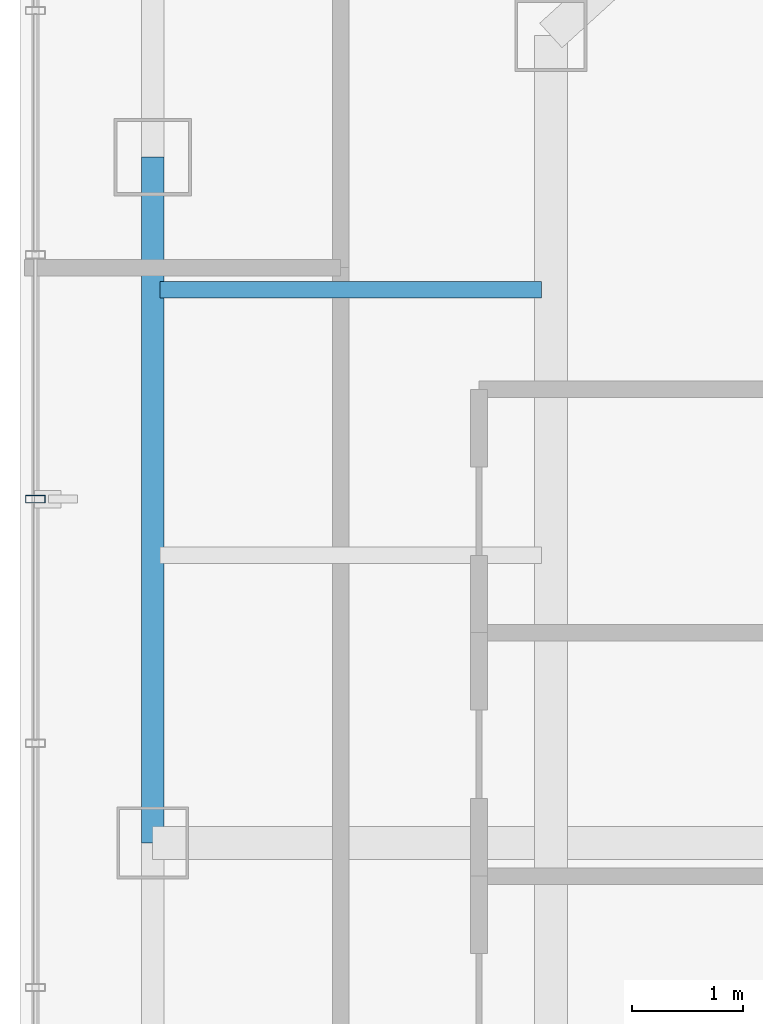
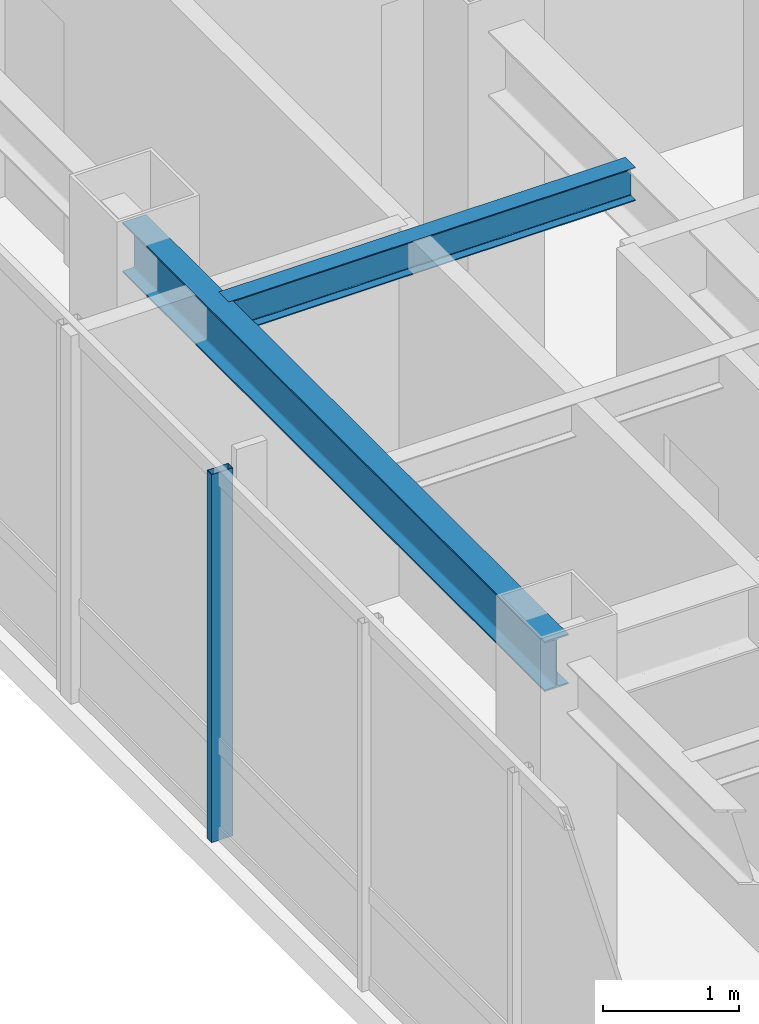
# One storey, part 8 of 25: 2 beams, 1 member, 1 element without a shape of its own.
"""IFC4 building model written with IfcOpenShell, lengths in metres."""

from ifc_helpers import new_model, si_unit, direction, frame, origin, origin_2d, place, context, subcontext, project, spatial, hollow_rectangle, i_section, extrude, material, layer, layer_set, material_profile, profile_set, type_object, element, aggregate, save


model = new_model("IFC4")

# Units and contexts
model_context = context("Model", 3, precision=1e-05, world=origin(), true_north=direction((0.0, 1.0)))
body_context = subcontext(model_context, "Body", "Model", "MODEL_VIEW")
ifc_project = project(units=[si_unit("LENGTHUNIT", "METRE"), si_unit("AREAUNIT", "SQUARE_METRE"), si_unit("VOLUMEUNIT", "CUBIC_METRE"), si_unit("PLANEANGLEUNIT", "RADIAN"), si_unit("MASSUNIT", "GRAM", prefix="KILO")], contexts=[model_context])

# Site, building, storey
site_placement = place(None, origin())
site = spatial("IfcSite", under=ifc_project, at=site_placement, CompositionType="ELEMENT")
building_placement = place(site_placement, origin())
building = spatial("IfcBuilding", under=site, at=building_placement, Name="Hatsunagi Terrace Concourse", CompositionType="ELEMENT")
storey_placement = place(building_placement, frame((0.0, 0.0, 231.14990234375)))
storey = spatial("IfcBuildingStorey", under=building, at=storey_placement, Name="L61", CompositionType="ELEMENT", Elevation=231.14990234375)

# Curtain wall, member
ifc_material_1 = material(Name="Anodised Aluminium Alloy 6063-T5", Category="aluminium")
ifc_layer = layer(ifc_material_1, 0.199951171875)
ifc_layer_set = layer_set([ifc_layer], Name="OfficeZone2_CW04")
curtain_wall_type = type_object("IfcCurtainWallType", Name="OfficeZone2_CW04", PredefinedType="NOTDEFINED", material=ifc_layer_set)
curtain_wall_placement = place(storey_placement, origin())
curtain_wall = element("IfcCurtainWall", 1, at=curtain_wall_placement, inside=storey, type_object=curtain_wall_type, Name="Unitised Curtain Wall CW-04 CW-L61-08", PredefinedType="NOTDEFINED")
ifc_material_2 = material(Name="Anodised Aluminium Alloy 6063-T5", Category="aluminium")
ifc_material_profile_1 = material_profile(ifc_material_2, hollow_rectangle(XDim=0.070068359375, YDim=0.179931640625, WallThickness=0.00390625, at=origin_2d()), Name="ALU-MUL-180x70x4")
ifc_profile_set_1 = profile_set([ifc_material_profile_1], Name="Anodised Aluminium Alloy 6063-T5")
member_type = type_object("IfcMemberType", Name="CurtainWallMullion_180x70", PredefinedType="MULLION", material=ifc_profile_set_1)
member_placement = place(storey_placement, frame((18.139892578125, 39.10791015625, 0.0), z_axis=(0.0, 0.0, 1.0), x_axis=(0.0, 1.0, 0.0)))
member = element("IfcMember", 2, at=member_placement, type_object=member_type, Name="Curtain Wall Mullion MUL-02", PredefinedType="MULLION", context=body_context, shape_type="SweptSolid", body=[
    extrude(hollow_rectangle(XDim=0.070068359375, YDim=0.179931640625, WallThickness=0.00390625, at=origin_2d()), origin(), (0.0, 0.0, 1.0), 3.300048828125),
])
aggregate(curtain_wall, [member])

# Beams
ifc_material_3 = material(Name="Steel SN490B", Category="steel")
ifc_material_profile_2 = material_profile(ifc_material_3, i_section(OverallWidth=0.14990234375, OverallDepth=0.300048828125, WebThickness=0.006591796875, FlangeThickness=0.009033203125, FilletRadius=0.010986328125, at=origin_2d()), Name="H-300x150x6.5x9")
ifc_profile_set_2 = profile_set([ifc_material_profile_2], Name="Steel SN490B")
beam_type_1 = type_object("IfcBeamType", Name="OfficeJoist_H_300x150", PredefinedType="JOIST", material=ifc_profile_set_2)
beam_1_placement = place(storey_placement, frame((19.264892578125, 41.0, 3.150146484375), z_axis=(1.0, 0.0, 0.0), x_axis=(0.0, 1.0, 0.0)))
element("IfcBeam", 3, at=beam_1_placement, inside=storey, type_object=beam_type_1, Name="Beam J-03 J-L61-W-19-410", PredefinedType="JOIST", context=body_context, shape_type="SweptSolid", body=[
    extrude(i_section(OverallWidth=0.14990234375, OverallDepth=0.300048828125, WebThickness=0.006591796875, FlangeThickness=0.009033203125, FilletRadius=0.010986328125, at=origin_2d()), origin(), (0.0, 0.0, 1.0), 3.4501953125),
])
ifc_material_4 = material(Name="Steel SN490B", Category="steel")
ifc_material_profile_3 = material_profile(ifc_material_4, i_section(OverallWidth=0.199951171875, OverallDepth=0.449951171875, WebThickness=0.009033203125, FlangeThickness=0.013916015625, FilletRadius=0.01611328125, at=origin_2d()), Name="H-450x200x9x14")
ifc_profile_set_3 = profile_set([ifc_material_profile_3], Name="Steel SN490B")
beam_type_2 = type_object("IfcBeamType", Name="PerimeterSpandrel_H_450x200", PredefinedType="SPANDREL", material=ifc_profile_set_3)
beam_2_placement = place(storey_placement, frame((19.199951171875, 36.0, 3.0751953125), z_axis=(0.0, 1.0, 0.0), x_axis=(-1.0, 0.0, 0.0)))
element("IfcBeam", 4, at=beam_2_placement, inside=storey, type_object=beam_type_2, Name="Beam SP-02 BM-L61-NS-19-36", PredefinedType="SPANDREL", context=body_context, shape_type="SweptSolid", body=[
    extrude(i_section(OverallWidth=0.199951171875, OverallDepth=0.449951171875, WebThickness=0.009033203125, FlangeThickness=0.013916015625, FilletRadius=0.01611328125, at=origin_2d()), origin(), (0.0, 0.0, 1.0), 6.199951171875),
])

save(model, "model.ifc")
